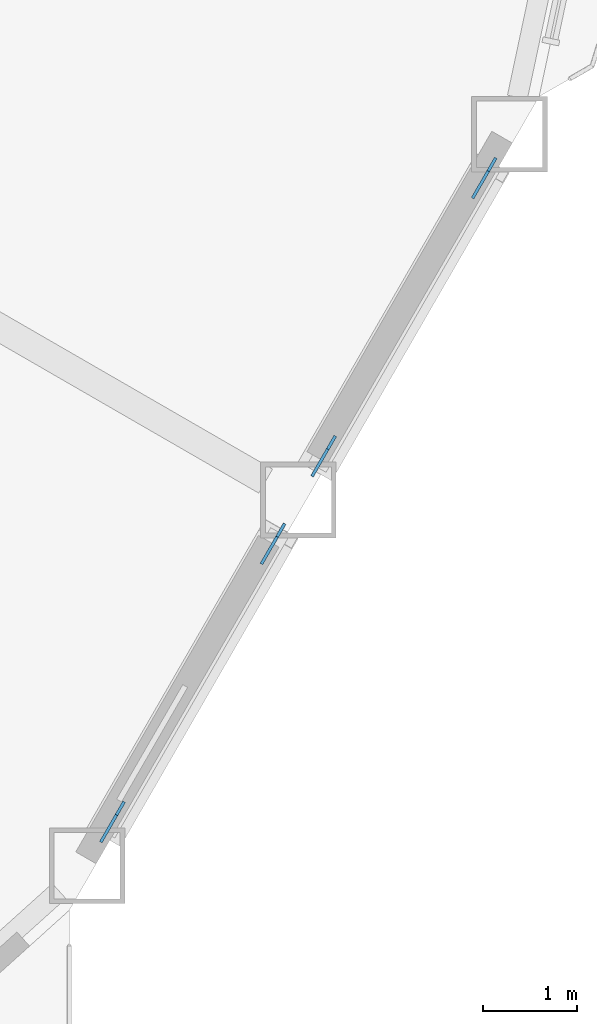
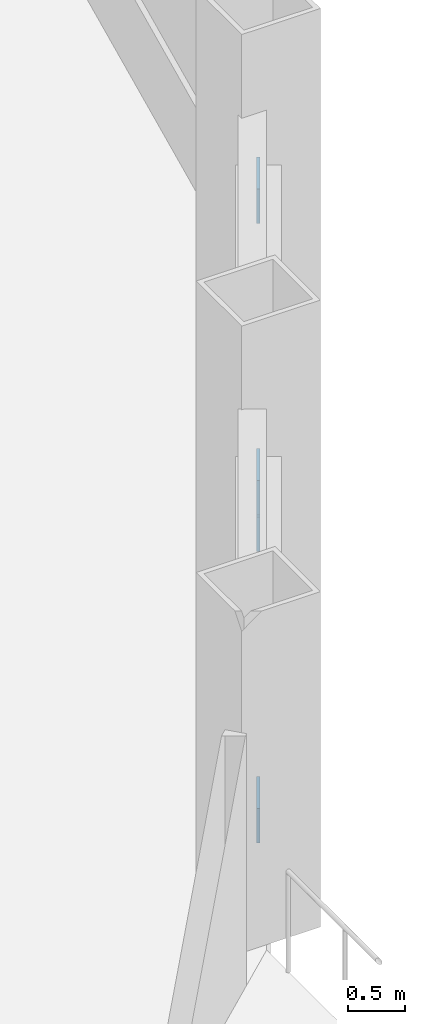
# One storey, part 17 of 23: 4 discrete accessories.
"""IFC4 building model written with IfcOpenShell, lengths in metres."""

from ifc_helpers import new_model, si_unit, direction, frame, origin, origin_2d, place, context, subcontext, project, spatial, rectangle, extrude, material, material_profile, profile_set, type_object, element, save


model = new_model("IFC4")

# Units and contexts
model_context = context("Model", 3, precision=1e-05, world=origin(), true_north=direction((0.0, 1.0)))
body_context = subcontext(model_context, "Body", "Model", "MODEL_VIEW")
ifc_project = project(units=[si_unit("LENGTHUNIT", "METRE"), si_unit("AREAUNIT", "SQUARE_METRE"), si_unit("VOLUMEUNIT", "CUBIC_METRE"), si_unit("PLANEANGLEUNIT", "RADIAN"), si_unit("MASSUNIT", "GRAM", prefix="KILO")], contexts=[model_context])

# Site, building, storey
site_placement = place(None, origin())
site = spatial("IfcSite", under=ifc_project, at=site_placement, CompositionType="ELEMENT")
building_placement = place(site_placement, origin())
building = spatial("IfcBuilding", under=site, at=building_placement, Name="Cormorant Prow Tower", CompositionType="ELEMENT")
storey_placement = place(building_placement, frame((0.0, 0.0, 187.199951171875)))
storey = spatial("IfcBuildingStorey", under=building, at=storey_placement, Name="L40", CompositionType="ELEMENT", Elevation=187.199951171875)

# Discrete accessories
ifc_material = material(Name="Structural steel ASTM A500 Gr C", Category="steel")
ifc_material_profile = material_profile(ifc_material, rectangle(XDim=0.031982421875, YDim=0.506103515625, at=origin_2d()), Name="Gusset plate 32x506")
ifc_profile_set = profile_set([ifc_material_profile], Name="Structural steel ASTM A500 Gr C")
discrete_accessory_type = type_object("IfcDiscreteAccessoryType", Name="Gusset plate 32x506", PredefinedType="BRACKET", material=ifc_profile_set)
for number, where, z_axis, x_axis, name in (
    (1, (26.17431640625, -19.463623046875, 0.835693359375), (-0.473631655621, -0.821008039272, -0.31877712315), (0.866197837791, -0.499701216534, 0.0), "Gusset plate GP2 L40.ESE00.g0"),
    (2, (27.7080078125, -16.807373046875, 1.865478515625), (0.4742777402, 0.820918970906, 0.31804507284), (-0.86587923604, 0.500253084543, 0.0), "Gusset plate GP2 L40.ESE00.g1"),
    (3, (28.40966796875, -15.59228515625, 0.835693359375), (-0.474172452765, -0.820736730742, -0.318671780755), (0.86587923604, -0.500253084543, 0.0), "Gusset plate GP2 L40.ESE01.g0"),
):
    element("IfcDiscreteAccessory", number, at=place(storey_placement, frame(where, z_axis=z_axis, x_axis=x_axis)), inside=storey, type_object=discrete_accessory_type, Name=name, PredefinedType="BRACKET", context=body_context, shape_type="SweptSolid", body=[
        extrude(rectangle(XDim=0.031982421875, YDim=0.506103515625, at=origin_2d()), origin(), (0.0, 0.0, 1.0), 0.35009765625),
    ])
discrete_accessory_placement = place(storey_placement, frame((29.943359375, -12.935791015625, 1.865478515625), z_axis=(0.47373689254, 0.821190460264, 0.318150254784), x_axis=(-0.866197837791, 0.499701216534, 0.0)))
element("IfcDiscreteAccessory", 4, at=discrete_accessory_placement, inside=storey, type_object=discrete_accessory_type, Name="Gusset plate GP2 L40.ESE01.g1", PredefinedType="BRACKET", context=body_context, shape_type="SweptSolid", body=[
    extrude(rectangle(XDim=0.031982421875, YDim=0.506103515625, at=origin_2d()), origin(), (0.0, 0.0, 1.0), 0.349853515625),
])

save(model, "model.ifc")
